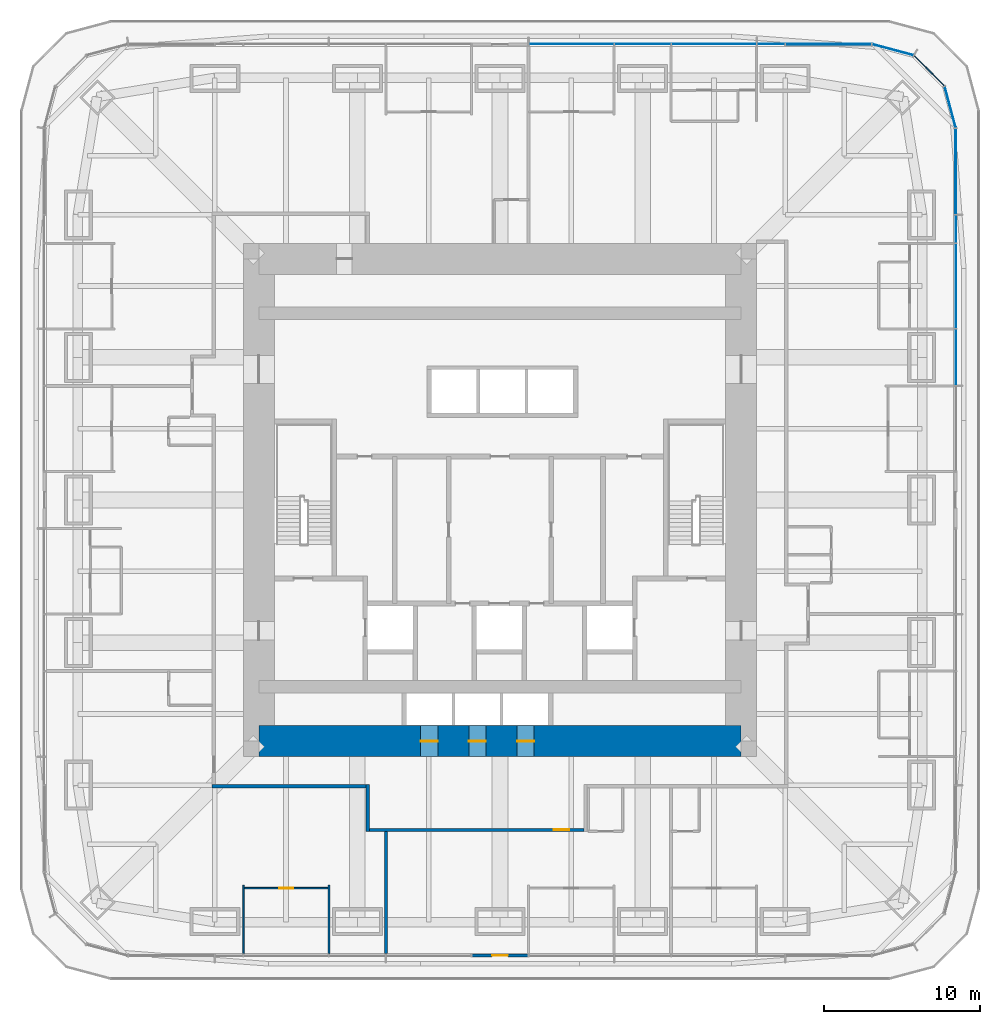
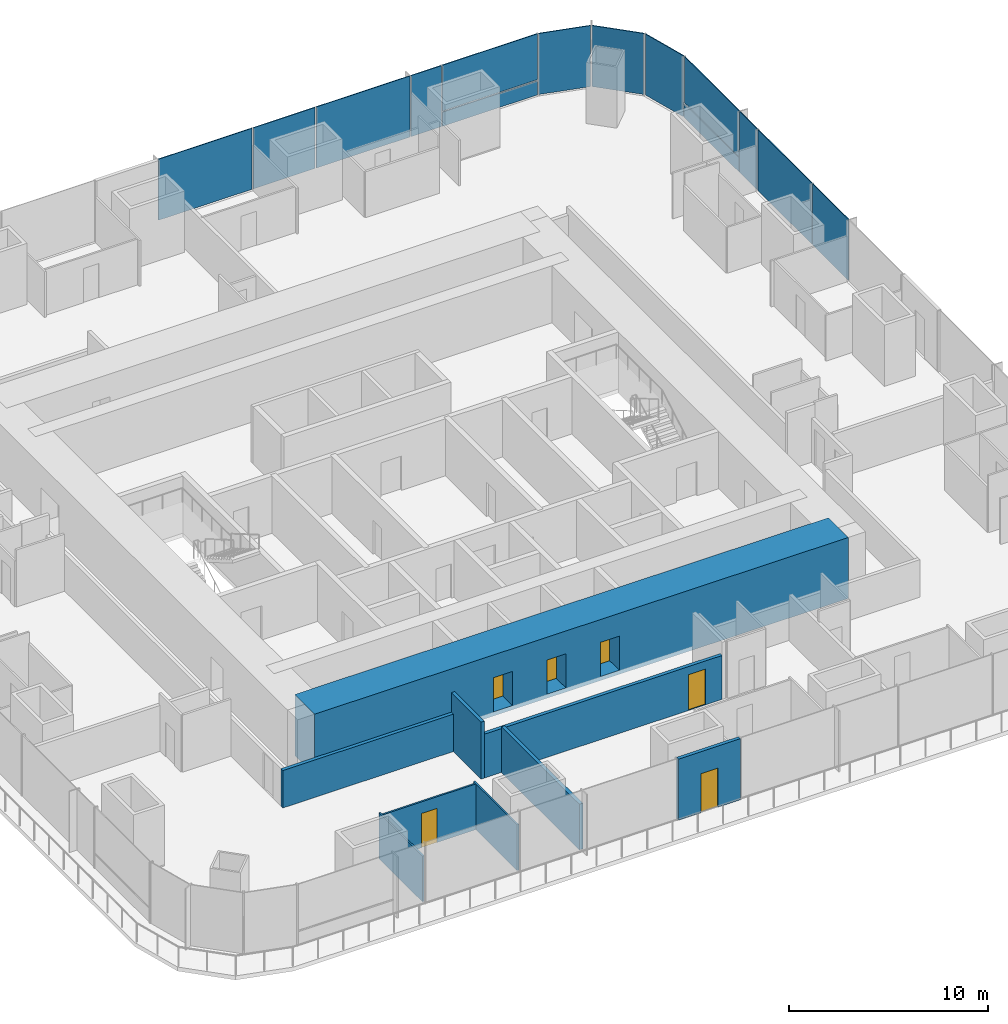
# One storey, part 10 of 16: 14 plates, 9 walls, 6 doors, 6 openings, 3 elements without a shape of their own.
"""IFC4 building model written with IfcOpenShell, lengths in metres."""

from ifc_helpers import new_model, si_unit, direction, frame, frame_2d, origin, origin_2d, place, context, subcontext, project, spatial, rectangle, extrude, material, layer, layer_set, type_object, element, fill, aggregate, save


model = new_model("IFC4")

# Units and contexts
model_context = context("Model", 3, precision=1e-05, world=origin(), true_north=direction((0.0, 1.0)))
body_context = subcontext(model_context, "Body", "Model", "MODEL_VIEW")
ifc_project = project(units=[si_unit("LENGTHUNIT", "METRE"), si_unit("AREAUNIT", "SQUARE_METRE"), si_unit("VOLUMEUNIT", "CUBIC_METRE"), si_unit("PLANEANGLEUNIT", "RADIAN"), si_unit("MASSUNIT", "GRAM", prefix="KILO")], contexts=[model_context])

# Site, building, storey
site_placement = place(None, origin())
site = spatial("IfcSite", under=ifc_project, at=site_placement, CompositionType="ELEMENT")
building_placement = place(site_placement, origin())
building = spatial("IfcBuilding", under=site, at=building_placement, Name="Khuree Lantern Residences", CompositionType="ELEMENT")
storey_placement = place(building_placement, frame((0.0, 0.0, 107.25)))
storey = spatial("IfcBuildingStorey", under=building, at=storey_placement, Name="L26", CompositionType="ELEMENT", Elevation=107.25)

# Curtain wall, plates
ifc_material_1 = material(Name="Bronze anodised aluminium", Category="aluminium")
curtain_wall_type_1 = type_object("IfcCurtainWallType", Name="CW-T2 TOWER CORNER CURTAIN WALL", PredefinedType="USERDEFINED", material=ifc_material_1)
curtain_wall_1_placement = place(storey_placement, origin())
curtain_wall_1 = element("IfcCurtainWall", 1, at=curtain_wall_1_placement, inside=storey, type_object=curtain_wall_type_1, Name="L26 NORTH-EAST CORNER CURTAIN WALL", ObjectType="Faceted corner curtain wall", PredefinedType="USERDEFINED")
ifc_material_2 = material(Name="Bronze tinted triple glazing", Category="glass")
ifc_layer_1 = layer(ifc_material_2, 0.048095703125)
ifc_layer_set_1 = layer_set([ifc_layer_1], Name="FACET PANEL P4")
plate_type_1 = type_object("IfcPlateType", Name="FACET PANEL P4", PredefinedType="CURTAIN_PANEL", material=ifc_layer_set_1)
plate_1_placement = place(storey_placement, frame((28.938720703125, 25.248046875, 0.0), z_axis=(0.0, 0.0, 1.0), x_axis=(-0.258819105321, 0.965925810153, 0.0)))
plate_1 = element("IfcPlate", 2, at=plate_1_placement, type_object=plate_type_1, Name="L26 NORTH-EAST CORNER PANEL 15.1", PredefinedType="CURTAIN_PANEL", context=body_context, shape_type="SweptSolid", body=[
    extrude(rectangle(XDim=2.71923828125, YDim=0.048095703125, at=origin_2d()), origin(), (0.0, 0.0, 1.0), 3.75),
])
plate_2_placement = place(storey_placement, frame((27.58837890625, 27.58837890625, 0.0), z_axis=(0.0, 0.0, 1.0), x_axis=(-0.707106781187, 0.707106781187, 0.0)))
plate_2 = element("IfcPlate", 3, at=plate_2_placement, type_object=plate_type_1, Name="L26 NORTH-EAST CORNER PANEL 16.1", PredefinedType="CURTAIN_PANEL", context=body_context, shape_type="SweptSolid", body=[
    extrude(rectangle(XDim=2.715087890625, YDim=0.048095703125, at=origin_2d()), origin(), (0.0, 0.0, 1.0), 3.75),
])
plate_3_placement = place(storey_placement, frame((25.248046875, 28.938720703125, 0.0), z_axis=(0.0, 0.0, 1.0), x_axis=(-0.965925810153, 0.258819105321, 0.0)))
plate_3 = element("IfcPlate", 4, at=plate_3_placement, type_object=plate_type_1, Name="L26 NORTH-EAST CORNER PANEL 17.1", PredefinedType="CURTAIN_PANEL", context=body_context, shape_type="SweptSolid", body=[
    extrude(rectangle(XDim=2.71923828125, YDim=0.048095703125, at=origin_2d()), origin(), (0.0, 0.0, 1.0), 3.75),
])
aggregate(curtain_wall_1, [plate_1, plate_2, plate_3])

# Curtain wall, plate
curtain_wall_type_2 = type_object("IfcCurtainWallType", Name="CW-T1 TOWER FACE CURTAIN WALL", PredefinedType="USERDEFINED", material=ifc_material_1)
curtain_wall_2_placement = place(storey_placement, origin())
curtain_wall_2 = element("IfcCurtainWall", 5, at=curtain_wall_2_placement, inside=storey, type_object=curtain_wall_type_2, Name="L26 EAST FACE CURTAIN WALL", ObjectType="Stick-built curtain wall", PredefinedType="USERDEFINED")
ifc_material_3 = material(Name="Bronze tinted triple glazing with a ceramic-fritted spandrel band", Category="glass")
ifc_layer_2 = layer(ifc_material_3, 0.048095703125)
ifc_layer_set_2 = layer_set([ifc_layer_2], Name="FIXED LIGHT PANEL P11")
plate_type_2 = type_object("IfcPlateType", Name="FIXED LIGHT PANEL P11", PredefinedType="CURTAIN_PANEL", material=ifc_layer_set_2)
plate_4_placement = place(storey_placement, frame((29.300048828125, 13.739990234375, 0.0), z_axis=(0.0, 0.0, 1.0), x_axis=(0.0, 1.0, 0.0)))
plate_4 = element("IfcPlate", 6, at=plate_4_placement, type_object=plate_type_2, Name="L26 EAST FACE PANEL 12.1", PredefinedType="CURTAIN_PANEL", context=body_context, shape_type="SweptSolid", body=[
    extrude(rectangle(XDim=5.430908203125, YDim=0.048095703125, at=origin_2d()), origin(), (0.0, 0.0, 1.0), 3.75),
])

# Curtain wall, plates
curtain_wall_3_placement = place(storey_placement, origin())
curtain_wall_3 = element("IfcCurtainWall", 7, at=curtain_wall_3_placement, inside=storey, type_object=curtain_wall_type_2, Name="L26 NORTH FACE CURTAIN WALL", ObjectType="Stick-built curtain wall", PredefinedType="USERDEFINED")
plate_5_placement = place(storey_placement, frame((13.739990234375, 29.300048828125, 0.0), z_axis=(0.0, 0.0, 1.0), x_axis=(-1.0, 0.0, 0.0)))
plate_5 = element("IfcPlate", 8, at=plate_5_placement, type_object=plate_type_2, Name="L26 NORTH FACE PANEL 20.1", PredefinedType="CURTAIN_PANEL", context=body_context, shape_type="SweptSolid", body=[
    extrude(rectangle(XDim=5.430908203125, YDim=0.048095703125, at=origin_2d()), origin(), (0.0, 0.0, 1.0), 3.75),
])
plate_6_placement = place(storey_placement, frame((4.580078125, 29.300048828125, 0.0), z_axis=(0.0, 0.0, 1.0), x_axis=(-1.0, 0.0, 0.0)))
plate_6 = element("IfcPlate", 9, at=plate_6_placement, type_object=plate_type_2, Name="L26 NORTH FACE PANEL 22.1", PredefinedType="CURTAIN_PANEL", context=body_context, shape_type="SweptSolid", body=[
    extrude(rectangle(XDim=5.430908203125, YDim=0.048095703125, at=origin_2d()), origin(), (0.0, 0.0, 1.0), 3.75),
])

# Plate
ifc_material_4 = material(Name="Bronze tinted triple glazing, two aluminium-framed sashes in one frame", Category="aluminium")
ifc_layer_3 = layer(ifc_material_4, 0.048095703125)
ifc_layer_set_3 = layer_set([ifc_layer_3], Name="SASH PAIR PANEL P12")
plate_type_3 = type_object("IfcPlateType", Name="SASH PAIR PANEL P12", PredefinedType="CURTAIN_PANEL", material=ifc_layer_set_3)
plate_7_placement = place(storey_placement, frame((29.300048828125, 9.159912109375, 0.0), z_axis=(0.0, 0.0, 1.0), x_axis=(0.0, 1.0, 0.0)))
plate_7 = element("IfcPlate", 10, at=plate_7_placement, type_object=plate_type_3, Name="L26 EAST FACE PANEL 11.1", PredefinedType="CURTAIN_PANEL", context=body_context, shape_type="SweptSolid", body=[
    extrude(rectangle(XDim=3.59912109375, YDim=0.048095703125, at=origin_2d()), origin(), (0.0, 0.0, 1.0), 3.75),
])

plate_8_placement = place(storey_placement, frame((9.159912109375, 29.300048828125, 0.0), z_axis=(0.0, 0.0, 1.0), x_axis=(-1.0, 0.0, 0.0)))
plate_8 = element("IfcPlate", 11, at=plate_8_placement, type_object=plate_type_3, Name="L26 NORTH FACE PANEL 21.1", PredefinedType="CURTAIN_PANEL", context=body_context, shape_type="SweptSolid", body=[
    extrude(rectangle(XDim=3.59912109375, YDim=0.048095703125, at=origin_2d()), origin(), (0.0, 0.0, 1.0), 3.75),
])

ifc_material_5 = material(Name="Bronze tinted triple glazing, aluminium-framed sash", Category="aluminium")
ifc_layer_4 = layer(ifc_material_5, 0.048095703125)
ifc_layer_set_4 = layer_set([ifc_layer_4], Name="SASH PANEL P3")
plate_type_4 = type_object("IfcPlateType", Name="SASH PANEL P3", PredefinedType="CURTAIN_PANEL", material=ifc_layer_set_4)
plate_9_placement = place(storey_placement, frame((29.300048828125, 17.404052734375, 0.0), z_axis=(0.0, 0.0, 1.0), x_axis=(0.0, 1.0, 0.0)))
plate_9 = element("IfcPlate", 12, at=plate_9_placement, type_object=plate_type_4, Name="L26 EAST FACE PANEL 13.1", PredefinedType="CURTAIN_PANEL", context=body_context, shape_type="SweptSolid", body=[
    extrude(rectangle(XDim=1.76708984375, YDim=0.048095703125, at=origin_2d()), origin(), (0.0, 0.0, 1.0), 3.75),
])

plate_10_placement = place(storey_placement, frame((17.404052734375, 29.300048828125, 0.0), z_axis=(0.0, 0.0, 1.0), x_axis=(-1.0, 0.0, 0.0)))
plate_10 = element("IfcPlate", 13, at=plate_10_placement, type_object=plate_type_4, Name="L26 NORTH FACE PANEL 19.1", PredefinedType="CURTAIN_PANEL", context=body_context, shape_type="SweptSolid", body=[
    extrude(rectangle(XDim=1.76708984375, YDim=0.048095703125, at=origin_2d()), origin(), (0.0, 0.0, 1.0), 3.75),
])

ifc_material_6 = material(Name="Bronze anodised aluminium insulated spandrel", Category="aluminium")
ifc_layer_5 = layer(ifc_material_6, 0.06005859375)
ifc_layer_set_5 = layer_set([ifc_layer_5], Name="SPANDREL PANEL P2")
plate_type_5 = type_object("IfcPlateType", Name="SPANDREL PANEL P2", PredefinedType="CURTAIN_PANEL", material=ifc_layer_set_5)
plate_11_placement = place(storey_placement, frame((29.300048828125, 21.10791015625, 0.0), z_axis=(0.0, 0.0, 1.0), x_axis=(0.0, 1.0, 0.0)))
plate_11 = element("IfcPlate", 14, at=plate_11_placement, type_object=plate_type_5, Name="L26 EAST FACE PANEL 14.1", PredefinedType="CURTAIN_PANEL", context=body_context, shape_type="SweptSolid", body=[
    extrude(rectangle(XDim=5.5107421875, YDim=0.06005859375, at=origin_2d()), origin(), (0.0, 0.0, 1.0), 0.867431640625),
])

plate_12_placement = place(storey_placement, frame((21.10791015625, 29.300048828125, 0.0), z_axis=(0.0, 0.0, 1.0), x_axis=(-1.0, 0.0, 0.0)))
plate_12 = element("IfcPlate", 15, at=plate_12_placement, type_object=plate_type_5, Name="L26 NORTH FACE PANEL 18.1", PredefinedType="CURTAIN_PANEL", context=body_context, shape_type="SweptSolid", body=[
    extrude(rectangle(XDim=5.5107421875, YDim=0.06005859375, at=origin_2d()), origin(), (0.0, 0.0, 1.0), 0.867431640625),
])

ifc_layer_6 = layer(ifc_material_2, 0.048095703125)
ifc_layer_set_6 = layer_set([ifc_layer_6], Name="VISION PANEL P1")
plate_type_6 = type_object("IfcPlateType", Name="VISION PANEL P1", PredefinedType="CURTAIN_PANEL", material=ifc_layer_set_6)
plate_13_placement = place(storey_placement, frame((29.300048828125, 21.1083984375, 0.9326171875), z_axis=(0.0, 0.0, 1.0), x_axis=(0.0, 1.0, 0.0)))
plate_13 = element("IfcPlate", 16, at=plate_13_placement, type_object=plate_type_6, Name="L26 EAST FACE PANEL 14.2", PredefinedType="CURTAIN_PANEL", context=body_context, shape_type="SweptSolid", body=[
    extrude(rectangle(XDim=5.511474609375, YDim=0.048095703125, at=origin_2d()), origin(), (0.0, 0.0, 1.0), 2.8173828125),
])

aggregate(curtain_wall_2, [plate_7, plate_4, plate_9, plate_11, plate_13])

plate_14_placement = place(storey_placement, frame((21.1083984375, 29.300048828125, 0.9326171875), z_axis=(0.0, 0.0, 1.0), x_axis=(-1.0, 0.0, 0.0)))
plate_14 = element("IfcPlate", 17, at=plate_14_placement, type_object=plate_type_6, Name="L26 NORTH FACE PANEL 18.2", PredefinedType="CURTAIN_PANEL", context=body_context, shape_type="SweptSolid", body=[
    extrude(rectangle(XDim=5.511474609375, YDim=0.048095703125, at=origin_2d()), origin(), (0.0, 0.0, 1.0), 2.8173828125),
])

aggregate(curtain_wall_3, [plate_12, plate_14, plate_10, plate_5, plate_8, plate_6])

# Wall
ifc_material_7 = material(Name="Gypsum board on steel studs", Category="steel")
ifc_layer_7 = layer(ifc_material_7, 0.199951171875)
ifc_layer_set_7 = layer_set([ifc_layer_7], Name="CORRIDOR WALL CRW200 EI 60")
wall_type_1 = type_object("IfcWallType", Name="CORRIDOR WALL CRW200 EI 60", PredefinedType="PARTITIONING", material=ifc_layer_set_7)
wall_1_placement = place(storey_placement, frame((-8.5, -18.300048828125, 0.0), z_axis=(0.0, 0.0, 1.0), x_axis=(0.0, -1.0, 0.0)))
element("IfcWall", 18, at=wall_1_placement, inside=storey, type_object=wall_type_1, Name="L26 LIFT LOBBY WALL", PredefinedType="PARTITIONING", context=body_context, shape_type="SweptSolid", body=[
    extrude(rectangle(XDim=3.0, YDim=0.199951171875, at=frame_2d((1.5, 0.0))), origin(), (0.0, 0.0, 1.0), 3.5),
])

# Wall, opening, door
wall_2_placement = place(storey_placement, frame((5.39990234375, -21.199951171875, 0.0), z_axis=(0.0, 0.0, 1.0), x_axis=(-1.0, 0.0, 0.0)))
wall_2 = element("IfcWall", 19, at=wall_2_placement, inside=storey, type_object=wall_type_1, Name="L26 LIFT LOBBY WALL", PredefinedType="PARTITIONING", context=body_context, shape_type="SweptSolid", body=[
    extrude(rectangle(XDim=13.7998046875, YDim=0.199951171875, at=frame_2d((6.89990234375, 0.0))), origin(), (0.0, 0.0, 1.0), 2.699951171875),
])
opening_1_placement = place(wall_2_placement, frame((0.9580078125, 0.0, 0.0)))
opening_1 = element("IfcOpeningElement", 20, at=opening_1_placement, cuts=wall_2, Name="Opening 26-044", PredefinedType="OPENING", context=body_context, shape_type="SweptSolid", body=[
    extrude(rectangle(XDim=1.0, YDim=2.199951171875, at=frame_2d((0.5, 1.10009765625))), frame((0.0, 0.10986328125, 0.0), z_axis=(0.0, -1.0, 0.0), x_axis=(1.0, 0.0, 0.0)), (0.0, 0.0, 1.0), 0.219970703125),
])
ifc_material_8 = material(Name="Timber door leaf in hardwood frame", Category="wood")
door_type_1 = type_object("IfcDoorType", Name="APARTMENT ENTRANCE DOOR 1000X2200 EI 30S", OperationType="SINGLE_SWING_LEFT", PredefinedType="DOOR", material=ifc_material_8)
door_1_placement = place(opening_1_placement, origin())
door_1 = element("IfcDoor", 21, at=door_1_placement, inside=storey, type_object=door_type_1, Name="Apartment 05 entrance door 26-044", OperationType="SINGLE_SWING_LEFT", OverallHeight=2.199951171875, OverallWidth=1.0, PredefinedType="DOOR", context=body_context, shape_type="SweptSolid", body=[
    extrude(rectangle(XDim=1.0, YDim=2.199951171875, at=frame_2d((0.5, 1.10009765625))), frame((0.0, 0.02490234375, 0.0), z_axis=(0.0, -1.0, 0.0), x_axis=(1.0, 0.0, 0.0)), (0.0, 0.0, 1.0), 0.050048828125),
])
fill(opening_1, door_1)

# Wall
wall_3_placement = place(storey_placement, frame((-8.60009765625, -18.39990234375, 0.0), z_axis=(0.0, 0.0, 1.0), x_axis=(-1.0, 0.0, 0.0)))
element("IfcWall", 22, at=wall_3_placement, inside=storey, type_object=wall_type_1, Name="L26 CORRIDOR WALL SOUTH 2", PredefinedType="PARTITIONING", context=body_context, shape_type="SweptSolid", body=[
    extrude(rectangle(XDim=9.89990234375, YDim=0.199951171875, at=frame_2d((4.949951171875, 0.0))), origin(), (0.0, 0.0, 1.0), 2.300048828125),
])

# Wall, openings, doors
ifc_material_9 = material(Name="Concrete C70/85", Category="concrete")
ifc_layer_8 = layer(ifc_material_9, 2.0)
ifc_layer_set_8 = layer_set([ifc_layer_8], Name="CW2000-C70 CORE WALL C70 2000")
wall_type_2 = type_object("IfcWallType", Name="CW2000-C70 CORE WALL C70 2000", PredefinedType="SHEAR", material=ifc_layer_set_8)
wall_4_placement = place(storey_placement, frame((-15.5, -15.5, -0.25), z_axis=(0.0, 0.0, 1.0), x_axis=(1.0, 0.0, 0.0)))
wall_4 = element("IfcWall", 23, at=wall_4_placement, inside=storey, type_object=wall_type_2, Name="Core wall S", PredefinedType="SHEAR", context=body_context, shape_type="SweptSolid", body=[
    extrude(rectangle(XDim=31.0, YDim=2.0, at=frame_2d((15.5, 0.0))), origin(), (0.0, 0.0, 1.0), 3.75),
])
opening_2_placement = place(wall_4_placement, frame((10.39990234375, 0.0, 0.25)))
opening_2 = element("IfcOpeningElement", 24, at=opening_2_placement, cuts=wall_4, Name="Opening 26-009", PredefinedType="OPENING", context=body_context, shape_type="SweptSolid", body=[
    extrude(rectangle(XDim=1.10009765625, YDim=2.10009765625, at=frame_2d((0.550048828125, 1.050048828125))), frame((0.0, 1.010009765625, 0.0), z_axis=(0.0, -1.0, 0.0), x_axis=(1.0, 0.0, 0.0)), (0.0, 0.0, 1.0), 2.02001953125),
])
opening_3_placement = place(wall_4_placement, frame((13.5, 0.0, 0.25)))
opening_3 = element("IfcOpeningElement", 25, at=opening_3_placement, cuts=wall_4, Name="Opening 26-010", PredefinedType="OPENING", context=body_context, shape_type="SweptSolid", body=[
    extrude(rectangle(XDim=1.10009765625, YDim=2.10009765625, at=frame_2d((0.550048828125, 1.050048828125))), frame((0.0, 1.010009765625, 0.0), z_axis=(0.0, -1.0, 0.0), x_axis=(1.0, 0.0, 0.0)), (0.0, 0.0, 1.0), 2.02001953125),
])
opening_4_placement = place(wall_4_placement, frame((16.60009765625, 0.0, 0.25)))
opening_4 = element("IfcOpeningElement", 26, at=opening_4_placement, cuts=wall_4, Name="Opening 26-011", PredefinedType="OPENING", context=body_context, shape_type="SweptSolid", body=[
    extrude(rectangle(XDim=1.10009765625, YDim=2.10009765625, at=frame_2d((0.550048828125, 1.050048828125))), frame((0.0, 1.010009765625, 0.0), z_axis=(0.0, -1.0, 0.0), x_axis=(1.0, 0.0, 0.0)), (0.0, 0.0, 1.0), 2.02001953125),
])
ifc_material_10 = material(Name="Stainless steel lift landing door", Category="steel")
door_type_2 = type_object("IfcDoorType", Name="LIFT LANDING DOOR 1100X2100 E 60", OperationType="DOUBLE_DOOR_SLIDING", PredefinedType="DOOR", material=ifc_material_10)
door_2_placement = place(opening_2_placement, origin())
door_2 = element("IfcDoor", 27, at=door_2_placement, inside=storey, type_object=door_type_2, Name="Landing door PM1 26-009", OperationType="DOUBLE_DOOR_SLIDING", OverallHeight=2.10009765625, OverallWidth=1.10009765625, PredefinedType="DOOR", context=body_context, shape_type="SweptSolid", body=[
    extrude(rectangle(XDim=1.10009765625, YDim=2.10009765625, at=frame_2d((0.550048828125, 1.050048828125))), frame((0.0, 0.02490234375, 0.0), z_axis=(0.0, -1.0, 0.0), x_axis=(1.0, 0.0, 0.0)), (0.0, 0.0, 1.0), 0.050048828125),
])
fill(opening_2, door_2)
door_3_placement = place(opening_3_placement, origin())
door_3 = element("IfcDoor", 28, at=door_3_placement, inside=storey, type_object=door_type_2, Name="Landing door PM2 26-010", OperationType="DOUBLE_DOOR_SLIDING", OverallHeight=2.10009765625, OverallWidth=1.10009765625, PredefinedType="DOOR", context=body_context, shape_type="SweptSolid", body=[
    extrude(rectangle(XDim=1.10009765625, YDim=2.10009765625, at=frame_2d((0.550048828125, 1.050048828125))), frame((0.0, 0.02490234375, 0.0), z_axis=(0.0, -1.0, 0.0), x_axis=(1.0, 0.0, 0.0)), (0.0, 0.0, 1.0), 0.050048828125),
])
fill(opening_3, door_3)
door_4_placement = place(opening_4_placement, origin())
door_4 = element("IfcDoor", 29, at=door_4_placement, inside=storey, type_object=door_type_2, Name="Landing door PM3 26-011", OperationType="DOUBLE_DOOR_SLIDING", OverallHeight=2.10009765625, OverallWidth=1.10009765625, PredefinedType="DOOR", context=body_context, shape_type="SweptSolid", body=[
    extrude(rectangle(XDim=1.10009765625, YDim=2.10009765625, at=frame_2d((0.550048828125, 1.050048828125))), frame((0.0, 0.02490234375, 0.0), z_axis=(0.0, -1.0, 0.0), x_axis=(1.0, 0.0, 0.0)), (0.0, 0.0, 1.0), 0.050048828125),
])
fill(opening_4, door_4)

# Walls
ifc_layer_9 = layer(ifc_material_7, 0.199951171875)
ifc_layer_set_9 = layer_set([ifc_layer_9], Name="DEMISING WALL DMW200 EI 90")
wall_type_3 = type_object("IfcWallType", Name="DEMISING WALL DMW200 EI 90", PredefinedType="PARTITIONING", material=ifc_layer_set_9)
wall_5_placement = place(storey_placement, frame((-7.327880859375, -21.300048828125, 0.0), z_axis=(0.0, 0.0, 1.0), x_axis=(0.0, -1.0, 0.0)))
element("IfcWall", 30, at=wall_5_placement, inside=storey, type_object=wall_type_3, Name="L26 DEMISING WALL 05", PredefinedType="PARTITIONING", context=body_context, shape_type="SweptSolid", body=[
    extrude(rectangle(XDim=7.849853515625, YDim=0.199951171875, at=frame_2d((3.9248046875, 0.0))), origin(), (0.0, 0.0, 1.0), 2.81005859375),
])
ifc_layer_10 = layer(ifc_material_7, 0.10009765625)
ifc_layer_set_10 = layer_set([ifc_layer_10], Name="PARTITION PT100")
wall_type_4 = type_object("IfcWallType", Name="PARTITION PT100", PredefinedType="PARTITIONING", material=ifc_layer_set_10)
for number, where, z_axis, x_axis, name in (
    (31, (-16.488037109375, -24.75, 0.0), (0.0, 0.0, 1.0), (0.0, -1.0, 0.0), "L26 PARTITION 04"),
    (32, (-10.991943359375, -24.75, 0.0), (0.0, 0.0, 1.0), (0.0, -1.0, 0.0), "L26 PARTITION 04"),
):
    element("IfcWall", number, at=place(storey_placement, frame(where, z_axis=z_axis, x_axis=x_axis)), inside=storey, type_object=wall_type_4, Name=name, PredefinedType="PARTITIONING", context=body_context, shape_type="SweptSolid", body=[
        extrude(rectangle(XDim=4.39990234375, YDim=0.10009765625, at=frame_2d((2.199951171875, 0.0))), origin(), (0.0, 0.0, 1.0), 2.81005859375),
    ])

# Wall, opening, door
wall_6_placement = place(storey_placement, frame((-16.488037109375, -24.949951171875, 0.0), z_axis=(0.0, 0.0, 1.0), x_axis=(1.0, 0.0, 0.0)))
wall_6 = element("IfcWall", 33, at=wall_6_placement, inside=storey, type_object=wall_type_4, Name="L26 PARTITION 04", PredefinedType="PARTITIONING", context=body_context, shape_type="SweptSolid", body=[
    extrude(rectangle(XDim=5.49609375, YDim=0.10009765625, at=frame_2d((2.748046875, 0.0))), origin(), (0.0, 0.0, 1.0), 2.81005859375),
])
opening_5_placement = place(wall_6_placement, frame((2.298095703125, 0.0, 0.0)))
opening_5 = element("IfcOpeningElement", 34, at=opening_5_placement, cuts=wall_6, Name="Opening 26-039", PredefinedType="OPENING", context=body_context, shape_type="SweptSolid", body=[
    extrude(rectangle(XDim=0.89990234375, YDim=2.10009765625, at=frame_2d((0.449951171875, 1.050048828125))), frame((0.0, 0.06005859375, 0.0), z_axis=(0.0, -1.0, 0.0), x_axis=(1.0, 0.0, 0.0)), (0.0, 0.0, 1.0), 0.1201171875),
])
door_type_3 = type_object("IfcDoorType", Name="BEDROOM DOOR 900X2100", OperationType="SINGLE_SWING_LEFT", PredefinedType="DOOR", material=ifc_material_8)
door_5_placement = place(opening_5_placement, origin())
door_5 = element("IfcDoor", 35, at=door_5_placement, inside=storey, type_object=door_type_3, Name="Bedroom door 26-039", OperationType="SINGLE_SWING_LEFT", OverallHeight=2.10009765625, OverallWidth=0.89990234375, PredefinedType="DOOR", context=body_context, shape_type="SweptSolid", body=[
    extrude(rectangle(XDim=0.89990234375, YDim=2.10009765625, at=frame_2d((0.449951171875, 1.050048828125))), frame((0.0, 0.02490234375, 0.0), z_axis=(0.0, -1.0, 0.0), x_axis=(1.0, 0.0, 0.0)), (0.0, 0.0, 1.0), 0.050048828125),
])
fill(opening_5, door_5)

ifc_material_11 = material(Name="Bronze anodised aluminium insulated panel", Category="aluminium")
ifc_layer_11 = layer(ifc_material_11, 0.199951171875)
ifc_layer_set_11 = layer_set([ifc_layer_11], Name="TERRACE DOOR SURROUND TS1 200")
wall_type_5 = type_object("IfcWallType", Name="TERRACE DOOR SURROUND TS1 200", PredefinedType="ELEMENTEDWALL", material=ifc_layer_set_11)
wall_7_placement = place(storey_placement, frame((-1.799560546875, -29.280029296875, 0.0), z_axis=(0.0, 0.0, 1.0), x_axis=(1.0, 0.0, 0.0)))
wall_7 = element("IfcWall", 36, at=wall_7_placement, inside=storey, type_object=wall_type_5, Name="L26 SOUTH FACE TERRACE DOOR SURROUND 51", PredefinedType="ELEMENTEDWALL", context=body_context, shape_type="SweptSolid", body=[
    extrude(rectangle(XDim=3.59912109375, YDim=0.199951171875, at=frame_2d((1.799560546875, 0.0))), origin(), (0.0, 0.0, 1.0), 3.75),
])
opening_6_placement = place(wall_7_placement, frame((1.299560546875, 0.0, 0.0)))
opening_6 = element("IfcOpeningElement", 37, at=opening_6_placement, cuts=wall_7, Name="Opening 26-T04", PredefinedType="OPENING", context=body_context, shape_type="SweptSolid", body=[
    extrude(rectangle(XDim=1.0, YDim=2.39990234375, at=frame_2d((0.5, 1.199951171875))), frame((0.0, 0.10986328125, 0.0), z_axis=(0.0, -1.0, 0.0), x_axis=(1.0, 0.0, 0.0)), (0.0, 0.0, 1.0), 0.219970703125),
])
ifc_material_12 = material(Name="Bronze anodised aluminium framed triple glazing", Category="aluminium")
door_type_4 = type_object("IfcDoorType", Name="TERRACE DOOR D-T1 1000X2400", OperationType="SINGLE_SWING_RIGHT", PredefinedType="DOOR", material=ifc_material_12)
door_6_placement = place(opening_6_placement, origin())
door_6 = element("IfcDoor", 38, at=door_6_placement, inside=storey, type_object=door_type_4, Name="L26 SOUTH FACE TERRACE DOOR 26-T04", OperationType="SINGLE_SWING_LEFT", OverallHeight=2.39990234375, OverallWidth=1.0, PredefinedType="DOOR", context=body_context, shape_type="SweptSolid", body=[
    extrude(rectangle(XDim=1.0, YDim=2.39990234375, at=frame_2d((0.5, 1.199951171875))), frame((0.0, 0.02490234375, 0.0), z_axis=(0.0, -1.0, 0.0), x_axis=(1.0, 0.0, 0.0)), (0.0, 0.0, 1.0), 0.050048828125),
])
fill(opening_6, door_6)

save(model, "model.ifc")
